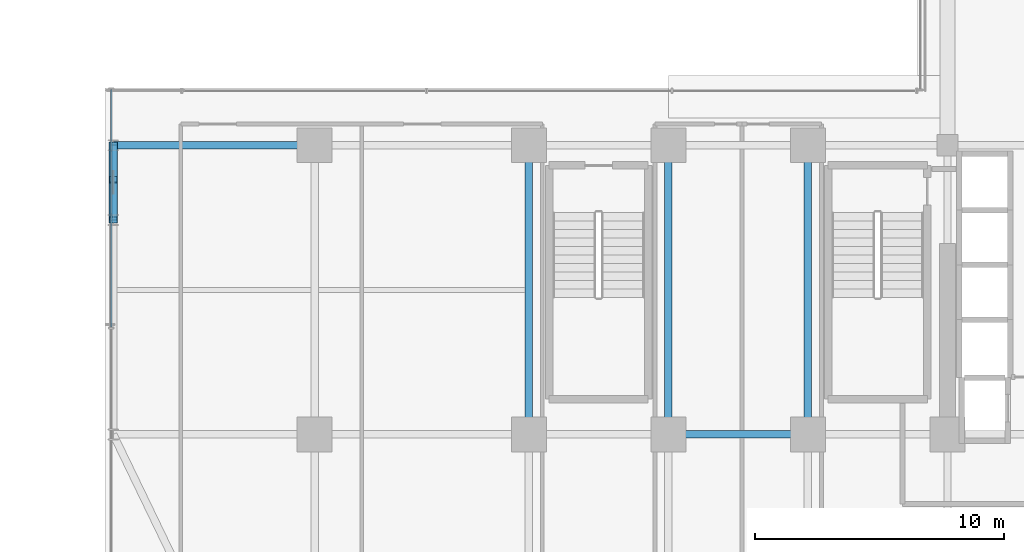
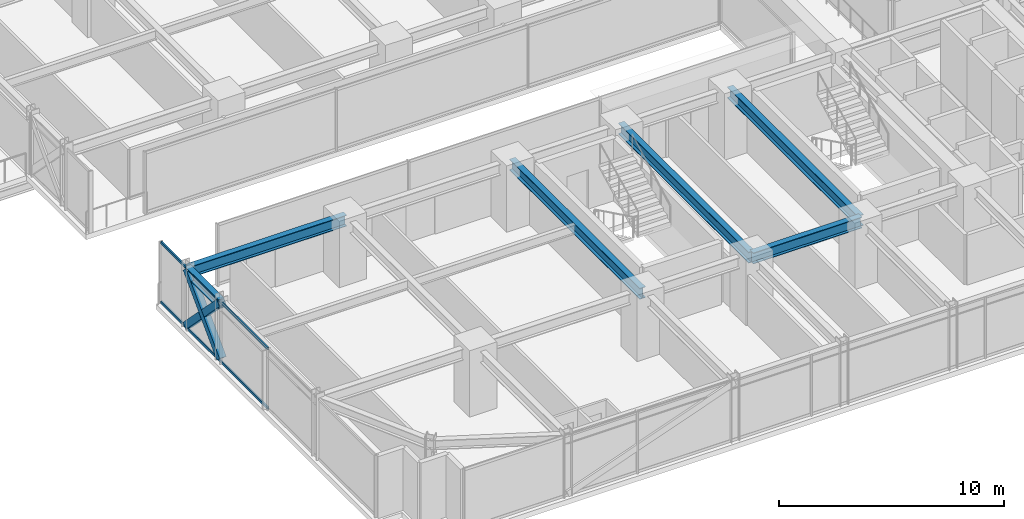
# One storey, part 8 of 42: 6 beams, 5 members, 1 element without a shape of its own.
"""IFC4 building model written with IfcOpenShell, lengths in metres."""

import ifcopenshell
import ifcopenshell.guid

model = None  # the IFC model being written
_history = None  # IfcOwnerHistory: only IFC2X3 demands one
_inside = {}  # id of a spatial element -> (the spatial element, [elements in it])
_under = {}  # id of a project, library or spatial element -> (it, [spatial elements below it])
_declared = {}  # id of a project -> (the project, [libraries it declares])
_typed = {}  # id of a type object -> (the type object, [elements of that type])
_made_of = {}  # id of a material, layer set ... -> (it, [elements and type objects made of it])


def new_model(schema):
    """Start an empty IFC model of exactly this schema.

    Asked for "IFC4X3", IfcOpenShell would pick the latest addendum, in which some entities
    have other attributes; the version numbers below select the first issue.
    IFC2X3 requires an IfcOwnerHistory on every rooted entity: one is made here for all.
    """
    global model, _history
    if schema == "IFC4X3":
        model = ifcopenshell.file(schema_version=(4, 3, 0, 0))
    else:
        model = ifcopenshell.file(schema=schema)
    _inside.clear()
    _under.clear()
    _declared.clear()
    _typed.clear()
    _made_of.clear()
    _history = None
    if model.schema == "IFC2X3":
        org = make("IfcOrganization", Name="unknown")
        user = make(
            "IfcPersonAndOrganization",
            ThePerson=make("IfcPerson", FamilyName="unknown"),
            TheOrganization=org,
        )
        app = make(
            "IfcApplication",
            ApplicationDeveloper=org,
            Version="unknown",
            ApplicationFullName="unknown",
            ApplicationIdentifier="unknown",
        )
        _history = make(
            "IfcOwnerHistory",
            OwningUser=user,
            OwningApplication=app,
            ChangeAction="ADDED",
            CreationDate=0,
        )
    return model


def make(cls, **values):
    """One entity of the class cls with the attributes given. An attribute that is None is left unset."""
    return model.create_entity(
        cls, **{name: value for name, value in values.items() if value is not None}
    )


def rooted(cls, **values):
    """An entity with a GlobalId (a new one), such as an element, a storey or a relation."""
    return make(cls, GlobalId=ifcopenshell.guid.new(), OwnerHistory=_history, **values)


def si_unit(unit_type, name, prefix=None):
    """IfcSIUnit, for example si_unit("LENGTHUNIT", "METRE", prefix="MILLI")."""
    return make("IfcSIUnit", UnitType=unit_type, Prefix=prefix, Name=name)


def assignment(units):
    """IfcUnitAssignment: the units of a project."""
    return None if units is None else make("IfcUnitAssignment", Units=units)


def point(xyz):
    """IfcCartesianPoint."""
    return None if xyz is None else make("IfcCartesianPoint", Coordinates=xyz)


def direction(xyz):
    """IfcDirection."""
    return None if xyz is None else make("IfcDirection", DirectionRatios=xyz)


def frame(location, z_axis=None, x_axis=None):
    """IfcAxis2Placement3D, a coordinate frame: its origin and axes. An axis left out is left unset."""
    return make(
        "IfcAxis2Placement3D",
        Location=point(location),
        Axis=direction(z_axis),
        RefDirection=direction(x_axis),
    )


def frame_2d(location, x_axis=None):
    """IfcAxis2Placement2D, a coordinate frame in the plane: its origin and x axis."""
    return make(
        "IfcAxis2Placement2D", Location=point(location), RefDirection=direction(x_axis)
    )


def origin():
    """The frame at (0, 0, 0) with its axes left unset."""
    return frame((0.0, 0.0, 0.0))


def origin_2d():
    """The frame at (0, 0) in the plane with its x axis left unset."""
    return frame_2d((0.0, 0.0))


def place(relative_to, where):
    """IfcLocalPlacement: puts the frame where relative to a parent placement (None: the world)."""
    return make(
        "IfcLocalPlacement", PlacementRelTo=relative_to, RelativePlacement=where
    )


def context(
    kind, dimensions, precision=None, world=None, true_north=None, identifier=None
):
    """IfcGeometricRepresentationContext, for example the 3D "Model" context."""
    return make(
        "IfcGeometricRepresentationContext",
        ContextIdentifier=identifier,
        ContextType=kind,
        CoordinateSpaceDimension=dimensions,
        Precision=precision,
        WorldCoordinateSystem=world,
        TrueNorth=true_north,
    )


def subcontext(parent, identifier, kind, view, scale=None):
    """IfcGeometricRepresentationSubContext, for example "Body" below "Model"."""
    return make(
        "IfcGeometricRepresentationSubContext",
        ContextIdentifier=identifier,
        ContextType=kind,
        ParentContext=parent,
        TargetScale=scale,
        TargetView=view,
    )


def project(units=None, contexts=None):
    """IfcProject with its units and contexts."""
    return rooted(
        "IfcProject",
        Name="project",
        RepresentationContexts=contexts,
        UnitsInContext=assignment(units),
    )


def spatial(cls, under=None, at=None, **own):
    """A site, building, storey or space (cls), placed at a placement, below another one or the project."""
    s = rooted(cls, ObjectPlacement=at, **own)
    if under is not None:
        _under.setdefault(under.id(), (under, []))[1].append(s)
    return s


def profile(cls, at=None, kind="AREA", **sizes):
    """A parametric profile (cls). Its sizes go by their IFC names, for example OverallWidth=200.0."""
    return make(cls, ProfileType=kind, Position=at, **sizes)


def hollow_rectangle(**sizes):
    """IfcRectangleHollowProfileDef."""
    return profile("IfcRectangleHollowProfileDef", **sizes)


def i_section(**sizes):
    """IfcIShapeProfileDef."""
    return profile("IfcIShapeProfileDef", **sizes)


def extrude(swept, where, along, depth):
    """IfcExtrudedAreaSolid: the profile swept, set in the frame where, extruded along a direction by depth."""
    return make(
        "IfcExtrudedAreaSolid",
        SweptArea=swept,
        Position=where,
        ExtrudedDirection=direction(along),
        Depth=depth,
    )


def shape(context_of_items, identifier, shape_type, items):
    """IfcShapeRepresentation: the items that make up one representation, for example the "Body"."""
    return make(
        "IfcShapeRepresentation",
        ContextOfItems=context_of_items,
        RepresentationIdentifier=identifier,
        RepresentationType=shape_type,
        Items=items,
    )


def source(mapping_origin, context_of_items, identifier, shape_type, items):
    """IfcRepresentationMap: a shape defined once, which mapped items show again and again."""
    return make(
        "IfcRepresentationMap",
        MappingOrigin=mapping_origin,
        MappedRepresentation=shape(context_of_items, identifier, shape_type, items),
    )


def transform(
    local_origin,
    x_axis=None,
    y_axis=None,
    z_axis=None,
    scale=None,
    scale2=None,
    scale3=None,
    uniform=True,
):
    """IfcCartesianTransformationOperator3D, or its non-uniform kind. x_axis, y_axis, z_axis: its Axis1, 2, 3."""
    if uniform:
        return make(
            "IfcCartesianTransformationOperator3D",
            Axis1=direction(x_axis),
            Axis2=direction(y_axis),
            LocalOrigin=point(local_origin),
            Scale=scale,
            Axis3=direction(z_axis),
        )
    return make(
        "IfcCartesianTransformationOperator3DnonUniform",
        Axis1=direction(x_axis),
        Axis2=direction(y_axis),
        LocalOrigin=point(local_origin),
        Scale=scale,
        Axis3=direction(z_axis),
        Scale2=scale2,
        Scale3=scale3,
    )


def mapped(mapping_source, mapping_target):
    """IfcMappedItem: shows the shape of a source again, moved by a transform."""
    return make(
        "IfcMappedItem", MappingSource=mapping_source, MappingTarget=mapping_target
    )


def material(Name=None, Category=None):
    """IfcMaterial."""
    return make("IfcMaterial", Name=Name, Category=Category)


def material_profile(
    of_material, cross_section, Name=None, Category=None, Priority=None
):
    """IfcMaterialProfile: a cross section and its material."""
    return make(
        "IfcMaterialProfile",
        Name=Name,
        Material=of_material,
        Profile=cross_section,
        Priority=Priority,
        Category=Category,
    )


def profile_set(profiles, Name=None, composite=None):
    """IfcMaterialProfileSet."""
    return make(
        "IfcMaterialProfileSet",
        Name=Name,
        MaterialProfiles=profiles,
        CompositeProfile=composite,
    )


def made_of(thing, what):
    """Note that an element or type object is made of a material, layer set ...; save() writes the relation."""
    if what is not None:
        _made_of.setdefault(what.id(), (what, []))[1].append(thing)
    return thing


def type_object(cls, material=None, **own):
    """A type object (cls), such as IfcWallType, which elements share."""
    return made_of(rooted(cls, **own), material)


def element(
    cls,
    number,
    at=None,
    inside=None,
    cuts=None,
    type_object=None,
    material=None,
    context=None,
    identifier="Body",
    shape_type=None,
    held_by="IfcProductDefinitionShape",
    body=None,
    shapes=None,
    **own,
):
    """One element of the class cls, such as IfcWall. Its Tag is "e" and its number.

    at: its placement. inside: the storey or other place that contains it. cuts: it is an
    opening in that element (IfcRelVoidsElement). A single representation is given by context,
    identifier, shape_type and body (its items); several are given by shapes. held_by: the class
    of the entity that holds the representations. save() writes the other relations.
    """
    e = rooted(cls, Tag="e%d" % number, ObjectPlacement=at, **own)
    if body is not None:
        shapes = [shape(context, identifier, shape_type, body)]
    if shapes is not None:
        e.Representation = make(held_by, Representations=shapes)
    if inside is not None:
        _inside.setdefault(inside.id(), (inside, []))[1].append(e)
    if cuts is not None:
        rooted(
            "IfcRelVoidsElement", RelatingBuildingElement=cuts, RelatedOpeningElement=e
        )
    if type_object is not None:
        _typed.setdefault(type_object.id(), (type_object, []))[1].append(e)
    return made_of(e, material)


def aggregate(whole, parts):
    """IfcRelAggregates: a whole, such as a stair, and the parts it consists of."""
    return rooted("IfcRelAggregates", RelatingObject=whole, RelatedObjects=parts)


def save(model, path):
    """Write the relations noted so far, then the file.

    IfcRelAggregates (storeys below a building ...), IfcRelContainedInSpatialStructure (elements
    in a storey), IfcRelDefinesByType, IfcRelAssociatesMaterial and IfcRelDeclares: one each for
    every whole, place, type object, material and project.
    """
    for whole, parts in _under.values():
        aggregate(whole, parts)
    for where, things in _inside.values():
        rooted(
            "IfcRelContainedInSpatialStructure",
            RelatedElements=things,
            RelatingStructure=where,
        )
    for kind, things in _typed.values():
        rooted("IfcRelDefinesByType", RelatedObjects=things, RelatingType=kind)
    for what, things in _made_of.values():
        rooted("IfcRelAssociatesMaterial", RelatedObjects=things, RelatingMaterial=what)
    for by, libraries in _declared.values():
        rooted("IfcRelDeclares", RelatingContext=by, RelatedDefinitions=libraries)
    model.write(path)


model = new_model("IFC4")

# Units and contexts
model_context = context("Model", 3, precision=1e-05, world=origin(), true_north=direction((0.0, 1.0)))
body_context = subcontext(model_context, "Body", "Model", "MODEL_VIEW")
ifc_project = project(units=[si_unit("LENGTHUNIT", "METRE"), si_unit("AREAUNIT", "SQUARE_METRE"), si_unit("VOLUMEUNIT", "CUBIC_METRE"), si_unit("PLANEANGLEUNIT", "RADIAN"), si_unit("MASSUNIT", "GRAM", prefix="KILO")], contexts=[model_context])

# Site, building, storey
site_placement = place(None, origin())
site = spatial("IfcSite", under=ifc_project, at=site_placement, CompositionType="ELEMENT")
building_placement = place(site_placement, origin())
building = spatial("IfcBuilding", under=site, at=building_placement, Name="Nahalor Promenade Grand Hotel", CompositionType="ELEMENT")
storey_placement = place(building_placement, frame((0.0, 0.0, 61.60009765625)))
storey = spatial("IfcBuildingStorey", under=building, at=storey_placement, Name="L14", CompositionType="ELEMENT", Elevation=61.60009765625)

# Beams
ifc_material_1 = material(Name="Steel S355JR", Category="steel")
ifc_material_profile_1 = material_profile(ifc_material_1, i_section(OverallWidth=0.3, OverallDepth=0.6, WebThickness=0.0155, FlangeThickness=0.03, at=origin_2d()), Name="HEB 600")
ifc_profile_set_1 = profile_set([ifc_material_profile_1], Name="Steel S355JR")
beam_type_1 = type_object("IfcBeamType", Name="Beam-Girder-HEB600", PredefinedType="BEAM", material=ifc_profile_set_1)
shared_shape_1 = source(origin(), body_context, "Body", "SweptSolid", [
    extrude(i_section(OverallWidth=0.3, OverallDepth=0.6, WebThickness=0.0155, FlangeThickness=0.03, at=origin_2d()), origin(), (0.0, 0.0, 1.0), 5.60009765625),
])
beam_1_placement = place(storey_placement, frame((-2.800048828125, -17.0, 3.06982421875), z_axis=(1.0, 0.0, 0.0), x_axis=(0.0, 1.0, 0.0)))
element("IfcBeam", 1, at=beam_1_placement, inside=storey, type_object=beam_type_1, Name="BM-L14-GX-0-3", PredefinedType="BEAM", context=body_context, shape_type="MappedRepresentation", body=[
    mapped(shared_shape_1, transform((0.0, 0.0, 0.0), scale=1.0)),
])
shared_shape_2 = source(origin(), body_context, "Body", "SweptSolid", [
    extrude(i_section(OverallWidth=0.3, OverallDepth=0.6, WebThickness=0.0155, FlangeThickness=0.03, at=origin_2d()), origin(), (0.0, 0.0, 1.0), 11.60009765625),
])
for number, where, z_axis, x_axis, name in (
    (2, (-8.39990234375, -17.0, 3.06982421875), (0.0, 1.0, 0.0), (-1.0, 0.0, 0.0), "BM-L14-GY-1-1"),
    (3, (-2.800048828125, -17.0, 3.06982421875), (0.0, 1.0, 0.0), (-1.0, 0.0, 0.0), "BM-L14-GY-2-1"),
    (4, (2.800048828125, -17.0, 3.06982421875), (0.0, 1.0, 0.0), (-1.0, 0.0, 0.0), "BM-L14-GY-3-1"),
):
    element("IfcBeam", number, at=place(storey_placement, frame(where, z_axis=z_axis, x_axis=x_axis)), inside=storey, type_object=beam_type_1, Name=name, PredefinedType="BEAM", context=body_context, shape_type="MappedRepresentation", body=[
        mapped(shared_shape_2, transform((0.0, 0.0, 0.0), scale=1.0)),
    ])
ifc_material_profile_2 = material_profile(ifc_material_1, i_section(OverallWidth=0.3, OverallDepth=0.5, WebThickness=0.0145, FlangeThickness=0.028, at=origin_2d()), Name="HEB 500")
ifc_profile_set_2 = profile_set([ifc_material_profile_2], Name="Steel S355JR")
beam_type_2 = type_object("IfcBeamType", Name="Beam-Spandrel-HEB500", PredefinedType="SPANDREL", material=ifc_profile_set_2)
shared_shape_3 = source(origin(), body_context, "Body", "SweptSolid", [
    extrude(i_section(OverallWidth=0.3, OverallDepth=0.5, WebThickness=0.0145, FlangeThickness=0.028, at=origin_2d()), origin(), (0.0, 0.0, 1.0), 3.0),
])
beam_2_placement = place(storey_placement, frame((-25.080078125, -8.39990234375, 3.119873046875), z_axis=(0.0, 1.0, 0.0), x_axis=(-1.0, 0.0, 0.0)))
element("IfcBeam", 5, at=beam_2_placement, inside=storey, type_object=beam_type_2, Name="BM-L14-SP-W-1", PredefinedType="SPANDREL", context=body_context, shape_type="MappedRepresentation", body=[
    mapped(shared_shape_3, transform((0.0, 0.0, 0.0), scale=1.0)),
])
shared_shape_4 = source(origin(), body_context, "Body", "SweptSolid", [
    extrude(i_section(OverallWidth=0.3, OverallDepth=0.6, WebThickness=0.0155, FlangeThickness=0.03, at=origin_2d()), origin(), (0.0, 0.0, 1.0), 8.080078125),
])
beam_3_placement = place(storey_placement, frame((-25.080078125, -5.39990234375, 3.06982421875), z_axis=(1.0, 0.0, 0.0), x_axis=(0.0, 1.0, 0.0)))
element("IfcBeam", 6, at=beam_3_placement, inside=storey, type_object=beam_type_1, Name="BM-L14-GX-1-0", PredefinedType="BEAM", context=body_context, shape_type="MappedRepresentation", body=[
    mapped(shared_shape_4, transform((0.0, 0.0, 0.0), scale=1.0)),
])

# Members
ifc_material_profile_3 = material_profile(ifc_material_1, hollow_rectangle(XDim=0.35, YDim=0.35, WallThickness=0.02, at=origin_2d()), Name="SHS 350x350x20")
ifc_profile_set_3 = profile_set([ifc_material_profile_3], Name="Steel S355JR")
member_type_1 = type_object("IfcMemberType", Name="Mem-VoidBrace-SHS350", PredefinedType="BRACE", material=ifc_profile_set_3)
shared_shape_5 = source(origin(), body_context, "Body", "SweptSolid", [
    extrude(hollow_rectangle(XDim=0.35, YDim=0.35, WallThickness=0.02, at=origin_2d()), origin(), (0.0, 0.0, 1.0), 4.29248046875),
])
member_1_placement = place(storey_placement, frame((-25.080078125, -8.39990234375, 0.14990234375), z_axis=(0.0, 0.698897904453, 0.715221447631), x_axis=(-1.0, 0.0, 0.0)))
element("IfcMember", 7, at=member_1_placement, inside=storey, type_object=member_type_1, Name="EXO-L14-VX1-W0", PredefinedType="BRACE", context=body_context, shape_type="MappedRepresentation", body=[
    mapped(shared_shape_5, transform((0.0, 0.0, 0.0), scale=1.0)),
])
shared_shape_6 = source(origin(), body_context, "Body", "SweptSolid", [
    extrude(hollow_rectangle(XDim=0.35, YDim=0.35, WallThickness=0.02, at=origin_2d()), origin(), (0.0, 0.0, 1.0), 1.959228515625),
])
for number, where, z_axis, x_axis, name in (
    (8, (-25.080078125, -5.39990234375, 0.14990234375), (0.0, -0.698960471031, 0.715160303663), (1.0, 0.0, 0.0), "EXO-L14-VX2-W0A"),
    (9, (-25.080078125, -7.03076171875, 1.818603515625), (0.0, -0.698834435327, 0.715283462692), (1.0, 0.0, 0.0), "EXO-L14-VX2-W0B"),
):
    element("IfcMember", number, at=place(storey_placement, frame(where, z_axis=z_axis, x_axis=x_axis)), inside=storey, type_object=member_type_1, Name=name, PredefinedType="BRACE", context=body_context, shape_type="MappedRepresentation", body=[
        mapped(shared_shape_6, transform((0.0, 0.0, 0.0), scale=1.0)),
    ])

# Curtain wall, members
ifc_material_2 = material(Name="Anodised Bronze Aluminium EN AW-6063 T6", Category="aluminium")
curtain_wall_type = type_object("IfcCurtainWallType", Name="CW3 Elliptical-Void Collar Unitised Curtain Wall", PredefinedType="USERDEFINED", material=ifc_material_2)
curtain_wall_placement = place(storey_placement, origin())
curtain_wall = element("IfcCurtainWall", 10, at=curtain_wall_placement, inside=storey, type_object=curtain_wall_type, Name="L14 Curtain Wall CW-L14-W-1", ObjectType="UNITISED_CURTAIN_WALL", PredefinedType="USERDEFINED")
ifc_material_profile_4 = material_profile(ifc_material_2, hollow_rectangle(XDim=0.07, YDim=0.14, WallThickness=0.004, at=origin_2d()), Name="CWT 70x140x4")
ifc_profile_set_4 = profile_set([ifc_material_profile_4], Name="Anodised Bronze Aluminium EN AW-6063 T6")
member_type_2 = type_object("IfcMemberType", Name="CWT3 Void Collar Transom 70x140", PredefinedType="USERDEFINED", material=ifc_profile_set_4)
shared_shape_7 = source(origin(), body_context, "Body", "SweptSolid", [
    extrude(hollow_rectangle(XDim=0.07, YDim=0.14, WallThickness=0.004, at=origin_2d()), origin(), (0.0, 0.0, 1.0), 9.525146484375),
])
member_2_placement = place(storey_placement, frame((-25.159912109375, -12.695068359375, 0.06982421875), z_axis=(0.0, 1.0, 0.0), x_axis=(-1.0, 0.0, 0.0)))
member_2 = element("IfcMember", 11, at=member_2_placement, type_object=member_type_2, Name="CW-L14-W-1 Transom 1-0", ObjectType="TRANSOM", PredefinedType="USERDEFINED", context=body_context, shape_type="MappedRepresentation", body=[
    mapped(shared_shape_7, transform((0.0, 0.0, 0.0), scale=1.0)),
])
member_3_placement = place(storey_placement, frame((-25.159912109375, -12.695068359375, 3.2998046875), z_axis=(0.0, 1.0, 0.0), x_axis=(-1.0, 0.0, 0.0)))
member_3 = element("IfcMember", 12, at=member_3_placement, type_object=member_type_2, Name="CW-L14-W-1 Transom 1-1", ObjectType="TRANSOM", PredefinedType="USERDEFINED", context=body_context, shape_type="MappedRepresentation", body=[
    mapped(shared_shape_7, transform((0.0, 0.0, 0.0), scale=1.0)),
])
aggregate(curtain_wall, [member_2, member_3])

save(model, "model.ifc")
